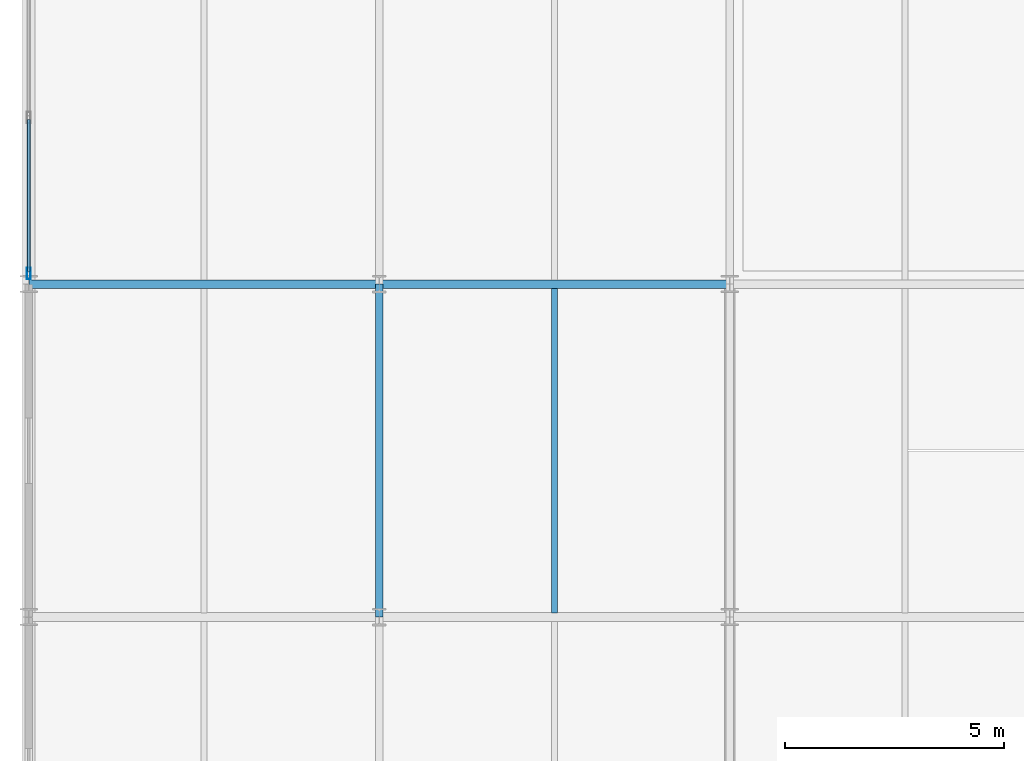
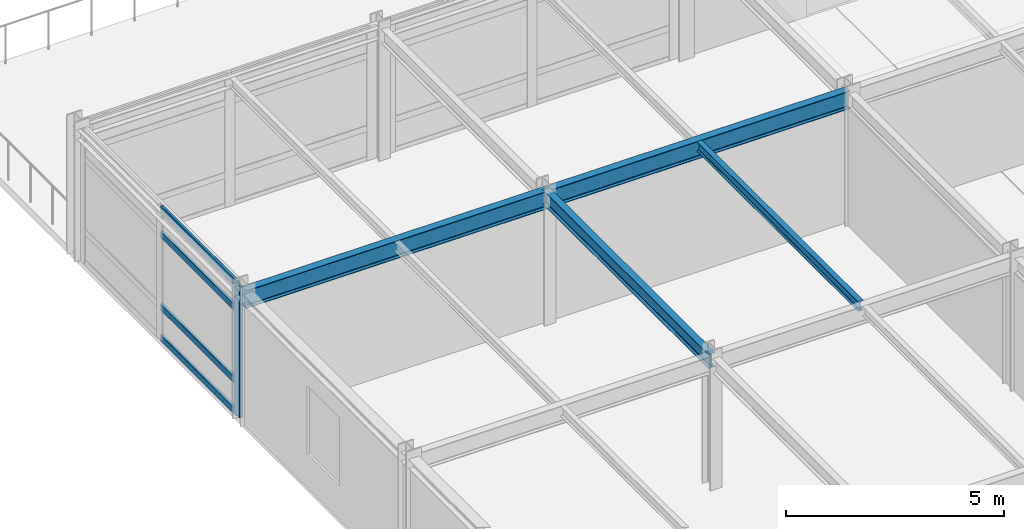
# One storey, part 5 of 17: 5 members, 4 beams, 1 element without a shape of its own.
"""IFC4 building model written with IfcOpenShell, lengths in metres."""

from ifc_helpers import new_model, si_unit, direction, frame, origin, origin_2d, place, context, subcontext, project, spatial, hollow_rectangle, i_section, extrude, material, layer, layer_set, material_profile, profile_set, type_object, element, aggregate, save


model = new_model("IFC4")

# Units and contexts
model_context = context("Model", 3, precision=1e-05, world=origin(), true_north=direction((0.0, 1.0)))
body_context = subcontext(model_context, "Body", "Model", "MODEL_VIEW")
ifc_project = project(units=[si_unit("LENGTHUNIT", "METRE"), si_unit("AREAUNIT", "SQUARE_METRE"), si_unit("VOLUMEUNIT", "CUBIC_METRE"), si_unit("PLANEANGLEUNIT", "RADIAN"), si_unit("MASSUNIT", "GRAM", prefix="KILO")], contexts=[model_context])

# Site, building, storey
site_placement = place(None, origin())
site = spatial("IfcSite", under=ifc_project, at=site_placement, CompositionType="ELEMENT")
building_placement = place(site_placement, origin())
building = spatial("IfcBuilding", under=site, at=building_placement, Name="Shalkamar Park Central Library", CompositionType="ELEMENT")
storey_placement = place(building_placement, frame((0.0, 0.0, 36.0)))
storey = spatial("IfcBuildingStorey", under=building, at=storey_placement, Name="L09", CompositionType="ELEMENT", Elevation=36.0)

# Beam
ifc_material_1 = material(Name="Steel S355", Category="steel")
ifc_material_profile_1 = material_profile(ifc_material_1, i_section(OverallWidth=0.135009765625, OverallDepth=0.27001953125, WebThickness=0.006591796875, FlangeThickness=0.01025390625, FilletRadius=0.014892578125, at=origin_2d()), Name="IPE 270")
ifc_profile_set_1 = profile_set([ifc_material_profile_1], Name="Steel S355")
beam_type_1 = type_object("IfcBeamType", Name="Composite Floor Joist IPE270", PredefinedType="JOIST", material=ifc_profile_set_1)
beam_1_placement = place(storey_placement, frame((177.0, 270.498046875, 3.544921875), z_axis=(0.0, 1.0, 0.0), x_axis=(-1.0, 0.0, 0.0)))
element("IfcBeam", 1, at=beam_1_placement, inside=storey, type_object=beam_type_1, Name="Composite Joist 08/E-1 (L09)", PredefinedType="JOIST", context=body_context, shape_type="SweptSolid", body=[
    extrude(i_section(OverallWidth=0.135009765625, OverallDepth=0.27001953125, WebThickness=0.006591796875, FlangeThickness=0.01025390625, FilletRadius=0.014892578125, at=origin_2d()), origin(), (0.0, 0.0, 1.0), 7.404052734375),
])

# Curtain wall, members
ifc_material_2 = material(Name="Thermally broken aluminium and triple low-e curtain wall", Category="aluminium")
ifc_layer = layer(ifc_material_2, 0.264892578125)
ifc_layer_set = layer_set([ifc_layer], Name="UnitisedCurtainWall_81")
curtain_wall_type = type_object("IfcCurtainWallType", Name="Unitised Curtain Wall 81", PredefinedType="USERDEFINED", material=ifc_layer_set)
curtain_wall_placement = place(storey_placement, origin())
curtain_wall = element("IfcCurtainWall", 2, at=curtain_wall_placement, inside=storey, type_object=curtain_wall_type, Name="Unitised Curtain Wall CW-L09-117", ObjectType="UNITISED CURTAIN WALL", PredefinedType="USERDEFINED")
ifc_material_3 = material(Name="Aluminium 6060-T66", Category="aluminium")
ifc_material_profile_2 = material_profile(ifc_material_3, hollow_rectangle(XDim=0.0849609375, YDim=0.264892578125, WallThickness=0.0048828125, InnerFilletRadius=0.0048828125, OuterFilletRadius=0.007568359375, at=origin_2d()), Name="ALU 85x265x5")
ifc_profile_set_2 = profile_set([ifc_material_profile_2], Name="Aluminium 6060-T66")
member_type_1 = type_object("IfcMemberType", Name="Curtain Wall Mullion ALU85x265", PredefinedType="MULLION", material=ifc_profile_set_2)
member_1_placement = place(storey_placement, frame((165.0, 278.24560546875, 0.0), z_axis=(0.0, 0.0, 1.0), x_axis=(-1.0, 0.0, 0.0)))
member_1 = element("IfcMember", 3, at=member_1_placement, type_object=member_type_1, Name="CW-81 mullion 1", PredefinedType="MULLION", context=body_context, shape_type="SweptSolid", body=[
    extrude(hollow_rectangle(XDim=0.0849609375, YDim=0.264892578125, WallThickness=0.0048828125, InnerFilletRadius=0.0048828125, OuterFilletRadius=0.007568359375, at=origin_2d()), origin(), (0.0, 0.0, 1.0), 3.679931640625),
])
ifc_material_profile_3 = material_profile(ifc_material_3, hollow_rectangle(XDim=0.070068359375, YDim=0.179931640625, WallThickness=0.00439453125, InnerFilletRadius=0.00439453125, OuterFilletRadius=0.0068359375, at=origin_2d()), Name="ALU 70x180x4.5")
ifc_profile_set_3 = profile_set([ifc_material_profile_3], Name="Aluminium 6060-T66")
member_type_2 = type_object("IfcMemberType", Name="Curtain Wall Transom ALU70x180", PredefinedType="USERDEFINED", material=ifc_profile_set_3)
member_2_placement = place(storey_placement, frame((165.0, 278.2880859375, 0.034912109375), z_axis=(0.0, 1.0, 0.0), x_axis=(-1.0, 0.0, 0.0)))
member_2 = element("IfcMember", 4, at=member_2_placement, type_object=member_type_2, Name="CW-81 transom 1.1", ObjectType="TRANSOM", PredefinedType="USERDEFINED", context=body_context, shape_type="SweptSolid", body=[
    extrude(hollow_rectangle(XDim=0.070068359375, YDim=0.179931640625, WallThickness=0.00439453125, InnerFilletRadius=0.00439453125, OuterFilletRadius=0.0068359375, at=origin_2d()), origin(), (0.0, 0.0, 1.0), 3.469482421875),
])
member_3_placement = place(storey_placement, frame((165.0, 278.2880859375, 0.89990234375), z_axis=(0.0, 1.0, 0.0), x_axis=(-1.0, 0.0, 0.0)))
member_3 = element("IfcMember", 5, at=member_3_placement, type_object=member_type_2, Name="CW-81 transom 1.2", ObjectType="TRANSOM", PredefinedType="USERDEFINED", context=body_context, shape_type="SweptSolid", body=[
    extrude(hollow_rectangle(XDim=0.070068359375, YDim=0.179931640625, WallThickness=0.00439453125, InnerFilletRadius=0.00439453125, OuterFilletRadius=0.0068359375, at=origin_2d()), origin(), (0.0, 0.0, 1.0), 3.469482421875),
])
member_4_placement = place(storey_placement, frame((165.0, 278.2880859375, 2.929931640625), z_axis=(0.0, 1.0, 0.0), x_axis=(-1.0, 0.0, 0.0)))
member_4 = element("IfcMember", 6, at=member_4_placement, type_object=member_type_2, Name="CW-81 transom 1.3", ObjectType="TRANSOM", PredefinedType="USERDEFINED", context=body_context, shape_type="SweptSolid", body=[
    extrude(hollow_rectangle(XDim=0.070068359375, YDim=0.179931640625, WallThickness=0.00439453125, InnerFilletRadius=0.00439453125, OuterFilletRadius=0.0068359375, at=origin_2d()), origin(), (0.0, 0.0, 1.0), 3.469482421875),
])
member_5_placement = place(storey_placement, frame((165.0, 278.2880859375, 3.64501953125), z_axis=(0.0, 1.0, 0.0), x_axis=(-1.0, 0.0, 0.0)))
member_5 = element("IfcMember", 7, at=member_5_placement, type_object=member_type_2, Name="CW-81 transom 1.4", ObjectType="TRANSOM", PredefinedType="USERDEFINED", context=body_context, shape_type="SweptSolid", body=[
    extrude(hollow_rectangle(XDim=0.070068359375, YDim=0.179931640625, WallThickness=0.00439453125, InnerFilletRadius=0.00439453125, OuterFilletRadius=0.0068359375, at=origin_2d()), origin(), (0.0, 0.0, 1.0), 3.469482421875),
])
aggregate(curtain_wall, [member_1, member_2, member_3, member_4, member_5])

# Beams
ifc_material_profile_4 = material_profile(ifc_material_1, i_section(OverallWidth=0.179931640625, OverallDepth=0.39990234375, WebThickness=0.008544921875, FlangeThickness=0.013427734375, FilletRadius=0.02099609375, at=origin_2d()), Name="IPE 400")
ifc_profile_set_4 = profile_set([ifc_material_profile_4], Name="Steel S355")
beam_type_2 = type_object("IfcBeamType", Name="Primary Girder IPE400", PredefinedType="BEAM", material=ifc_profile_set_4)
beam_2_placement = place(storey_placement, frame((173.0, 270.39990234375, 3.47998046875), z_axis=(0.0, 1.0, 0.0), x_axis=(-1.0, 0.0, 0.0)))
element("IfcBeam", 8, at=beam_2_placement, inside=storey, type_object=beam_type_2, Name="Beam 08:E-F (L09)", PredefinedType="BEAM", context=body_context, shape_type="SweptSolid", body=[
    extrude(i_section(OverallWidth=0.179931640625, OverallDepth=0.39990234375, WebThickness=0.008544921875, FlangeThickness=0.013427734375, FilletRadius=0.02099609375, at=origin_2d()), origin(), (0.0, 0.0, 1.0), 7.60009765625),
])
ifc_material_profile_5 = material_profile(ifc_material_1, i_section(OverallWidth=0.199951171875, OverallDepth=0.5, WebThickness=0.01025390625, FlangeThickness=0.01611328125, FilletRadius=0.02099609375, at=origin_2d()), Name="IPE 500")
ifc_profile_set_5 = profile_set([ifc_material_profile_5], Name="Steel S355")
beam_type_3 = type_object("IfcBeamType", Name="Primary Girder IPE500", PredefinedType="BEAM", material=ifc_profile_set_5)
for number, where, z_axis, x_axis, name in (
    (9, (165.0, 278.0, 3.429931640625), (1.0, 0.0, 0.0), (0.0, 1.0, 0.0), "Beam F:07-08 (L09)"),
    (10, (173.0, 278.0, 3.429931640625), (1.0, 0.0, 0.0), (0.0, 1.0, 0.0), "Beam F:08-09 (L09)"),
):
    element("IfcBeam", number, at=place(storey_placement, frame(where, z_axis=z_axis, x_axis=x_axis)), inside=storey, type_object=beam_type_3, Name=name, PredefinedType="BEAM", context=body_context, shape_type="SweptSolid", body=[
        extrude(i_section(OverallWidth=0.199951171875, OverallDepth=0.5, WebThickness=0.01025390625, FlangeThickness=0.01611328125, FilletRadius=0.02099609375, at=origin_2d()), origin(), (0.0, 0.0, 1.0), 8.0),
    ])

save(model, "model.ifc")
